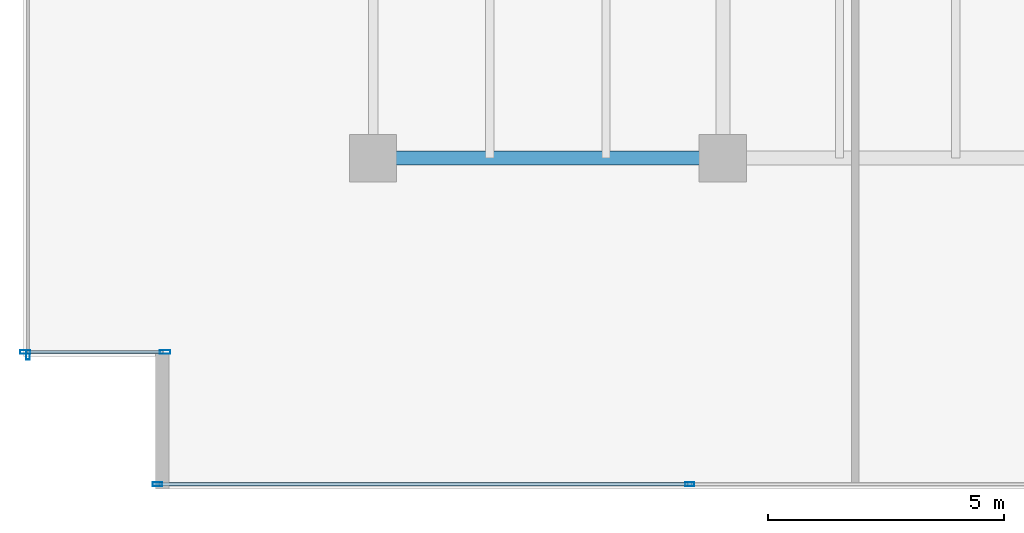
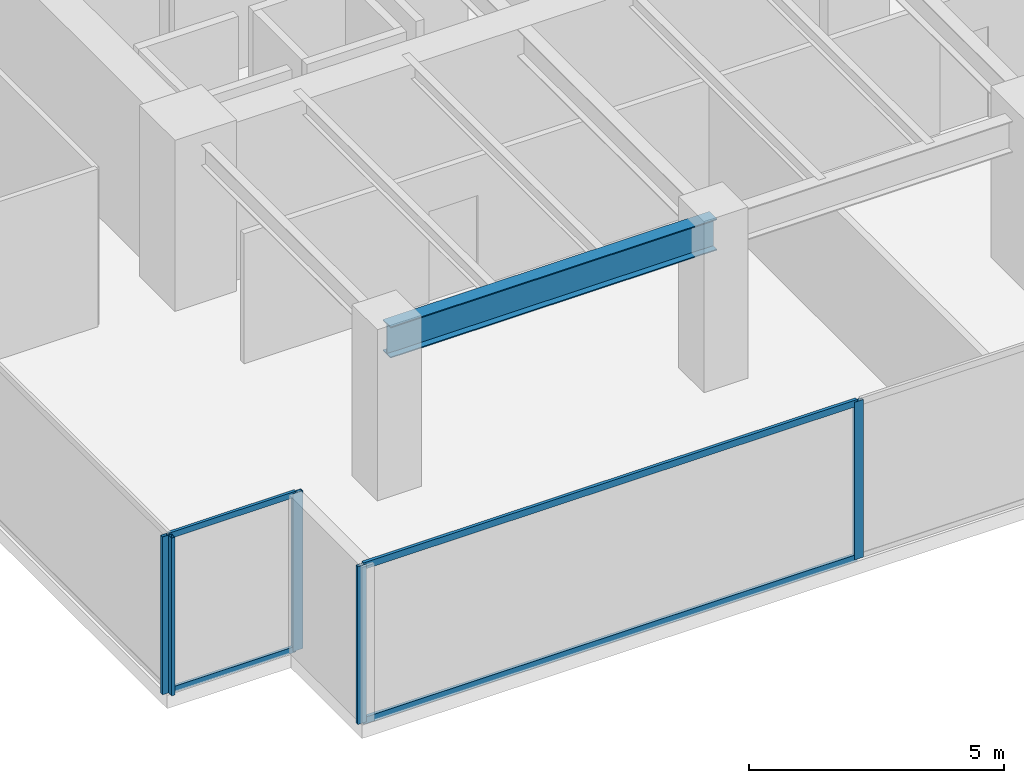
# One storey, part 2 of 35: 9 members, 1 beam, 3 elements without a shape of their own.
"""IFC4 building model written with IfcOpenShell, lengths in metres."""

from ifc_helpers import new_model, si_unit, direction, frame, origin, origin_2d, place, context, subcontext, project, spatial, hollow_rectangle, i_section, extrude, source, transform, mapped, material, layer, layer_set, material_profile, profile_set, type_object, type_shapes, element, aggregate, save


model = new_model("IFC4")

# Units and contexts
model_context = context("Model", 3, precision=1e-05, world=origin(), true_north=direction((0.0, 1.0)))
body_context = subcontext(model_context, "Body", "Model", "MODEL_VIEW")
ifc_project = project(units=[si_unit("LENGTHUNIT", "METRE"), si_unit("AREAUNIT", "SQUARE_METRE"), si_unit("VOLUMEUNIT", "CUBIC_METRE"), si_unit("PLANEANGLEUNIT", "RADIAN"), si_unit("MASSUNIT", "GRAM", prefix="KILO")], contexts=[model_context])

# Site, building, storey
site_placement = place(None, origin())
site = spatial("IfcSite", under=ifc_project, at=site_placement, CompositionType="ELEMENT")
building_placement = place(site_placement, origin())
building = spatial("IfcBuilding", under=site, at=building_placement, Name="Haelvirn Gate Laboratories", CompositionType="ELEMENT")
storey_placement = place(building_placement, frame((0.0, 0.0, 82.60009765625)))
storey = spatial("IfcBuildingStorey", under=building, at=storey_placement, Name="L20", CompositionType="ELEMENT", Elevation=82.60009765625)

# Beam
ifc_material_1 = material(Name="Steel SM355", Category="steel")
ifc_material_profile_1 = material_profile(ifc_material_1, i_section(OverallWidth=0.300048828125, OverallDepth=0.75, WebThickness=0.013916015625, FlangeThickness=0.02392578125, at=origin_2d()), Name="H-750x300x14x24")
ifc_profile_set_1 = profile_set([ifc_material_profile_1], Name="Steel SM355")
beam_type = type_object("IfcBeamType", Name="BM-G-750", PredefinedType="BEAM", material=ifc_profile_set_1)
shared_shape_1 = source(origin(), body_context, "Body", "SweptSolid", [
    extrude(i_section(OverallWidth=0.300048828125, OverallDepth=0.75, WebThickness=0.013916015625, FlangeThickness=0.02392578125, at=origin_2d()), origin(), (0.0, 0.0, 1.0), 7.400146484375),
])
type_shapes(beam_type, [shared_shape_1])
beam_placement = place(storey_placement, frame((7.39990234375, 7.0, 3.40478515625), z_axis=(1.0, 0.0, 0.0), x_axis=(0.0, 1.0, 0.0)))
element("IfcBeam", 1, at=beam_placement, inside=storey, type_object=beam_type, Name="L20 Primary Girder Y7.0 (7.4-14.8)", PredefinedType="BEAM", context=body_context, shape_type="MappedRepresentation", body=[
    mapped(shared_shape_1, transform((0.0, 0.0, 0.0), scale=1.0)),
])

# Curtain wall, members
ifc_material_2 = material(Name="Anodised bronze unitised aluminium & triple low-E glass", Category="aluminium")
ifc_layer_1 = layer(ifc_material_2, 0.18408203125, Name="CW-SYS-2")
ifc_layer_set_1 = layer_set([ifc_layer_1], Name="Anodised bronze unitised aluminium & triple low-E glass")
curtain_wall_type_1 = type_object("IfcCurtainWallType", Name="CW-SYS-2", PredefinedType="NOTDEFINED", material=ifc_layer_set_1)
curtain_wall_1_placement = place(storey_placement, origin())
curtain_wall_1 = element("IfcCurtainWall", 2, at=curtain_wall_1_placement, inside=storey, type_object=curtain_wall_type_1, Name="L20 Unitised Curtain Wall CW-L20-P0-E00-1", PredefinedType="NOTDEFINED")
ifc_material_3 = material(Name="Extruded aluminium 6063-T6 (anodised bronze)", Category="aluminium")
ifc_material_profile_2 = material_profile(ifc_material_3, hollow_rectangle(XDim=0.070068359375, YDim=0.159912109375, WallThickness=0.0048828125, at=origin_2d()), Name="CWT-160x70x5")
ifc_profile_set_2 = profile_set([ifc_material_profile_2], Name="Extruded aluminium 6063-T6 (anodised bronze)")
member_type_1 = type_object("IfcMemberType", Name="CWT-T160", PredefinedType="USERDEFINED", material=ifc_profile_set_2)
shared_shape_2 = source(origin(), body_context, "Body", "SweptSolid", [
    extrude(hollow_rectangle(XDim=0.070068359375, YDim=0.159912109375, WallThickness=0.0048828125, at=origin_2d()), origin(), (0.0, 0.0, 1.0), 11.1875),
])
type_shapes(member_type_1, [shared_shape_2])
member_1_placement = place(storey_placement, frame((2.875, 0.10009765625, 0.034912109375), z_axis=(1.0, 0.0, 0.0), x_axis=(0.0, 1.0, 0.0)))
member_1 = element("IfcMember", 3, at=member_1_placement, type_object=member_type_1, Name="CW2 transom 1.1", ObjectType="TRANSOM", PredefinedType="USERDEFINED", context=body_context, shape_type="MappedRepresentation", body=[
    mapped(shared_shape_2, transform((0.0, 0.0, 0.0), scale=1.0)),
])
member_2_placement = place(storey_placement, frame((2.875, 0.10009765625, 3.744873046875), z_axis=(1.0, 0.0, 0.0), x_axis=(0.0, 1.0, 0.0)))
member_2 = element("IfcMember", 4, at=member_2_placement, type_object=member_type_1, Name="CW2 transom 1.2", ObjectType="TRANSOM", PredefinedType="USERDEFINED", context=body_context, shape_type="MappedRepresentation", body=[
    mapped(shared_shape_2, transform((0.0, 0.0, 0.0), scale=1.0)),
])

ifc_layer_2 = layer(ifc_material_2, 0.181884765625, Name="CW-SYS-5")
ifc_layer_set_2 = layer_set([ifc_layer_2], Name="Anodised bronze unitised aluminium & triple low-E glass")
curtain_wall_type_2 = type_object("IfcCurtainWallType", Name="CW-SYS-5", PredefinedType="NOTDEFINED", material=ifc_layer_set_2)
curtain_wall_2_placement = place(storey_placement, origin())
curtain_wall_2 = element("IfcCurtainWall", 5, at=curtain_wall_2_placement, inside=storey, type_object=curtain_wall_type_2, Name="L20 Unitised Curtain Wall CW-L20-P0-E18-1", PredefinedType="NOTDEFINED")
ifc_material_profile_3 = material_profile(ifc_material_3, hollow_rectangle(XDim=0.06494140625, YDim=0.139892578125, WallThickness=0.00390625, at=origin_2d()), Name="CWT-140x65x4")
ifc_profile_set_3 = profile_set([ifc_material_profile_3], Name="Extruded aluminium 6063-T6 (anodised bronze)")
member_type_2 = type_object("IfcMemberType", Name="CWT-T140", PredefinedType="USERDEFINED", material=ifc_profile_set_3)
shared_shape_3 = source(origin(), body_context, "Body", "SweptSolid", [
    extrude(hollow_rectangle(XDim=0.06494140625, YDim=0.139892578125, WallThickness=0.00390625, at=origin_2d()), origin(), (0.0, 0.0, 1.0), 2.8798828125),
])
type_shapes(member_type_2, [shared_shape_3])
member_3_placement = place(storey_placement, frame((0.080078125, 2.89990234375, 0.032470703125), z_axis=(1.0, 0.0, 0.0), x_axis=(0.0, 1.0, 0.0)))
member_3 = element("IfcMember", 6, at=member_3_placement, type_object=member_type_2, Name="CW5 transom 1.1", ObjectType="TRANSOM", PredefinedType="USERDEFINED", context=body_context, shape_type="MappedRepresentation", body=[
    mapped(shared_shape_3, transform((0.0, 0.0, 0.0), scale=1.0)),
])
member_4_placement = place(storey_placement, frame((0.080078125, 2.89990234375, 3.747314453125), z_axis=(1.0, 0.0, 0.0), x_axis=(0.0, 1.0, 0.0)))
member_4 = element("IfcMember", 7, at=member_4_placement, type_object=member_type_2, Name="CW5 transom 1.2", ObjectType="TRANSOM", PredefinedType="USERDEFINED", context=body_context, shape_type="MappedRepresentation", body=[
    mapped(shared_shape_3, transform((0.0, 0.0, 0.0), scale=1.0)),
])

# Member
ifc_material_profile_4 = material_profile(ifc_material_3, hollow_rectangle(XDim=0.074951171875, YDim=0.199951171875, WallThickness=0.0048828125, at=origin_2d()), Name="CWM-200x75x5")
ifc_profile_set_4 = profile_set([ifc_material_profile_4], Name="Extruded aluminium 6063-T6 (anodised bronze)")
member_type_3 = type_object("IfcMemberType", Name="CWM-T200", PredefinedType="MULLION", material=ifc_profile_set_4)
shared_shape_4 = source(origin(), body_context, "Body", "SweptSolid", [
    extrude(hollow_rectangle(XDim=0.074951171875, YDim=0.199951171875, WallThickness=0.0048828125, at=origin_2d()), origin(), (0.0, 0.0, 1.0), 3.77978515625),
])
type_shapes(member_type_3, [shared_shape_4])
member_5_placement = place(storey_placement, frame((2.83740234375, 0.10009765625, 0.0), z_axis=(0.0, 0.0, 1.0), x_axis=(0.0, 1.0, 0.0)))
member_5 = element("IfcMember", 8, at=member_5_placement, type_object=member_type_3, Name="CW2 mullion 1", PredefinedType="MULLION", context=body_context, shape_type="MappedRepresentation", body=[
    mapped(shared_shape_4, transform((0.0, 0.0, 0.0), scale=1.0)),
])

member_6_placement = place(storey_placement, frame((14.10009765625, 0.10009765625, 0.0), z_axis=(0.0, 0.0, 1.0), x_axis=(0.0, 1.0, 0.0)))
member_6 = element("IfcMember", 9, at=member_6_placement, type_object=member_type_3, Name="CW2 mullion 2", PredefinedType="MULLION", context=body_context, shape_type="MappedRepresentation", body=[
    mapped(shared_shape_4, transform((0.0, 0.0, 0.0), scale=1.0)),
])

aggregate(curtain_wall_1, [member_5, member_6, member_1, member_2])

# Curtain wall, member
curtain_wall_3_placement = place(storey_placement, origin())
curtain_wall_3 = element("IfcCurtainWall", 10, at=curtain_wall_3_placement, inside=storey, type_object=curtain_wall_type_1, Name="L20 Unitised Curtain Wall CW-L20-P0-E17", PredefinedType="NOTDEFINED")
member_7_placement = place(storey_placement, frame((0.10009765625, 2.83740234375, 0.0), z_axis=(0.0, 0.0, 1.0), x_axis=(1.0, 0.0, 0.0)))
member_7 = element("IfcMember", 11, at=member_7_placement, type_object=member_type_3, Name="CW2 mullion 4", PredefinedType="MULLION", context=body_context, shape_type="MappedRepresentation", body=[
    mapped(shared_shape_4, transform((0.0, 0.0, 0.0), scale=1.0)),
])
aggregate(curtain_wall_3, [member_7])

# Member
ifc_material_profile_5 = material_profile(ifc_material_3, hollow_rectangle(XDim=0.080078125, YDim=0.219970703125, WallThickness=0.006103515625, at=origin_2d()), Name="CWM-220x80x6")
ifc_profile_set_5 = profile_set([ifc_material_profile_5], Name="Extruded aluminium 6063-T6 (anodised bronze)")
member_type_4 = type_object("IfcMemberType", Name="CWM-T220", PredefinedType="MULLION", material=ifc_profile_set_5)
shared_shape_5 = source(origin(), body_context, "Body", "SweptSolid", [
    extrude(hollow_rectangle(XDim=0.080078125, YDim=0.219970703125, WallThickness=0.006103515625, at=origin_2d()), origin(), (0.0, 0.0, 1.0), 3.77978515625),
])
type_shapes(member_type_4, [shared_shape_5])
member_8_placement = place(storey_placement, frame((0.0400390625, 2.89990234375, 0.0), z_axis=(0.0, 0.0, 1.0), x_axis=(0.0, 1.0, 0.0)))
member_8 = element("IfcMember", 12, at=member_8_placement, type_object=member_type_4, Name="CW5 mullion 1", PredefinedType="MULLION", context=body_context, shape_type="MappedRepresentation", body=[
    mapped(shared_shape_5, transform((0.0, 0.0, 0.0), scale=1.0)),
])

member_9_placement = place(storey_placement, frame((3.0, 2.89990234375, 0.0), z_axis=(0.0, 0.0, 1.0), x_axis=(0.0, 1.0, 0.0)))
member_9 = element("IfcMember", 13, at=member_9_placement, type_object=member_type_4, Name="CW5 mullion 2", PredefinedType="MULLION", context=body_context, shape_type="MappedRepresentation", body=[
    mapped(shared_shape_5, transform((0.0, 0.0, 0.0), scale=1.0)),
])

aggregate(curtain_wall_2, [member_8, member_9, member_3, member_4])

save(model, "model.ifc")
